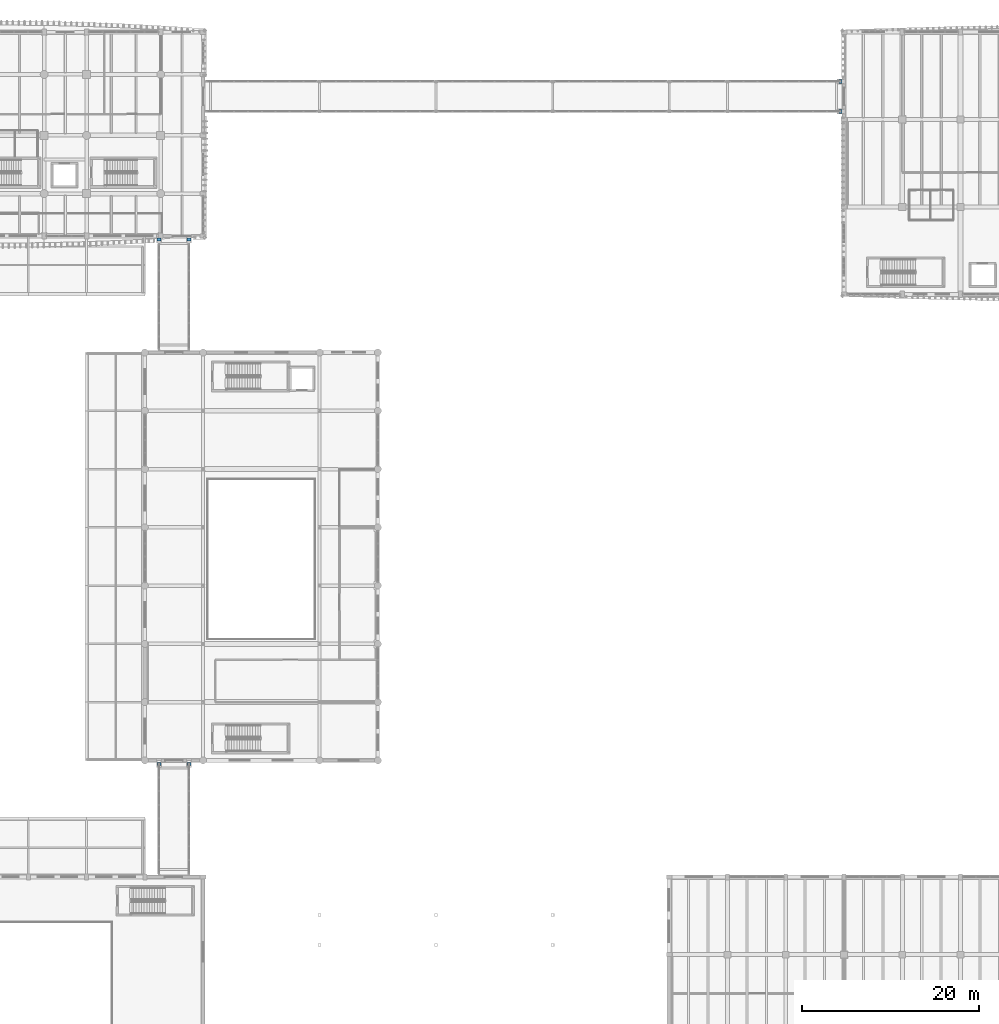
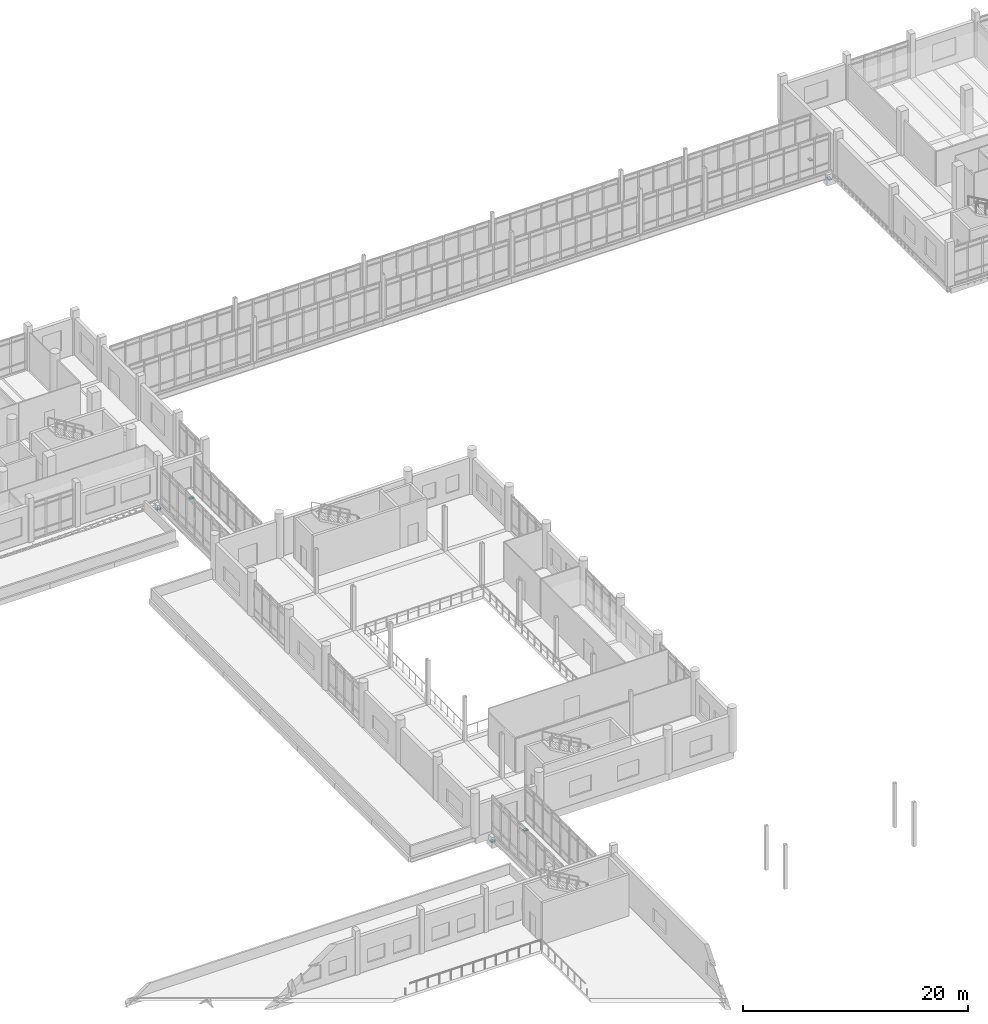
# One storey, part 100 of 125: 6 discrete accessories.
"""IFC4 building model written with IfcOpenShell, lengths in metres."""

from ifc_helpers import new_model, si_unit, direction, frame, origin, origin_2d, place, context, subcontext, project, spatial, rectangle, extrude, material, type_object, element, save


model = new_model("IFC4")

# Units and contexts
model_context = context("Model", 3, precision=1e-05, world=origin(), true_north=direction((0.0, 1.0)))
body_context = subcontext(model_context, "Body", "Model", "MODEL_VIEW")
ifc_project = project(units=[si_unit("LENGTHUNIT", "METRE"), si_unit("AREAUNIT", "SQUARE_METRE"), si_unit("VOLUMEUNIT", "CUBIC_METRE"), si_unit("PLANEANGLEUNIT", "RADIAN"), si_unit("MASSUNIT", "GRAM", prefix="KILO")], contexts=[model_context])

# Site, building, storey
site_placement = place(None, origin())
site = spatial("IfcSite", under=ifc_project, at=site_placement, CompositionType="ELEMENT")
building_placement = place(site_placement, origin())
building = spatial("IfcBuilding", under=site, at=building_placement, Name="Dornvale Research Institute", CompositionType="ELEMENT")
storey_placement = place(building_placement, frame((0.0, 0.0, 5.39990234375)))
storey = spatial("IfcBuildingStorey", under=building, at=storey_placement, Name="L01", CompositionType="ELEMENT", Elevation=5.39990234375)

# Discrete accessories
ifc_material = material(Name="Elastomeric PTFE Sliding Bearing Assembly")
discrete_accessory_type = type_object("IfcDiscreteAccessoryType", Name="Bracket_PTFE_Sliding_Seat", PredefinedType="BRACKET", material=ifc_material)
for number, where, z_axis, x_axis, name in (
    (1, (41.199951171875, 39.199951171875, -0.951904296875), (0.0, 0.0, 1.0), (1.0, 0.0, 0.0), "Unguided PTFE sliding bridge bearing BR-1-1"),
    (2, (44.60009765625, 39.199951171875, -0.951904296875), (0.0, 0.0, 1.0), (1.0, 0.0, 0.0), "Unguided PTFE sliding bridge bearing BR-1-2"),
    (3, (41.199951171875, 98.60009765625, -0.951904296875), (0.0, 0.0, 1.0), (1.0, 0.0, 0.0), "Unguided PTFE sliding bridge bearing BR-3-1"),
    (4, (44.60009765625, 98.60009765625, -0.951904296875), (0.0, 0.0, 1.0), (1.0, 0.0, 0.0), "Unguided PTFE sliding bridge bearing BR-3-2"),
):
    element("IfcDiscreteAccessory", number, at=place(storey_placement, frame(where, z_axis=z_axis, x_axis=x_axis)), inside=storey, type_object=discrete_accessory_type, Name=name, PredefinedType="BRACKET", context=body_context, shape_type="SweptSolid", body=[
        extrude(rectangle(XDim=0.449951171875, YDim=0.300048828125, at=origin_2d()), origin(), (0.0, 0.0, 1.0), 0.1201171875),
    ])
for number, where, z_axis, x_axis, name in (
    (5, (118.39990234375, 113.10009765625, -0.951904296875), (0.0, 0.0, 1.0), (1.0, 0.0, 0.0), "Unguided PTFE sliding bridge bearing BR-5-1"),
    (6, (118.39990234375, 116.5, -0.951904296875), (0.0, 0.0, 1.0), (1.0, 0.0, 0.0), "Unguided PTFE sliding bridge bearing BR-5-2"),
):
    element("IfcDiscreteAccessory", number, at=place(storey_placement, frame(where, z_axis=z_axis, x_axis=x_axis)), inside=storey, type_object=discrete_accessory_type, Name=name, PredefinedType="BRACKET", context=body_context, shape_type="SweptSolid", body=[
        extrude(rectangle(XDim=0.300048828125, YDim=0.449951171875, at=origin_2d()), origin(), (0.0, 0.0, 1.0), 0.1201171875),
    ])

save(model, "model.ifc")
